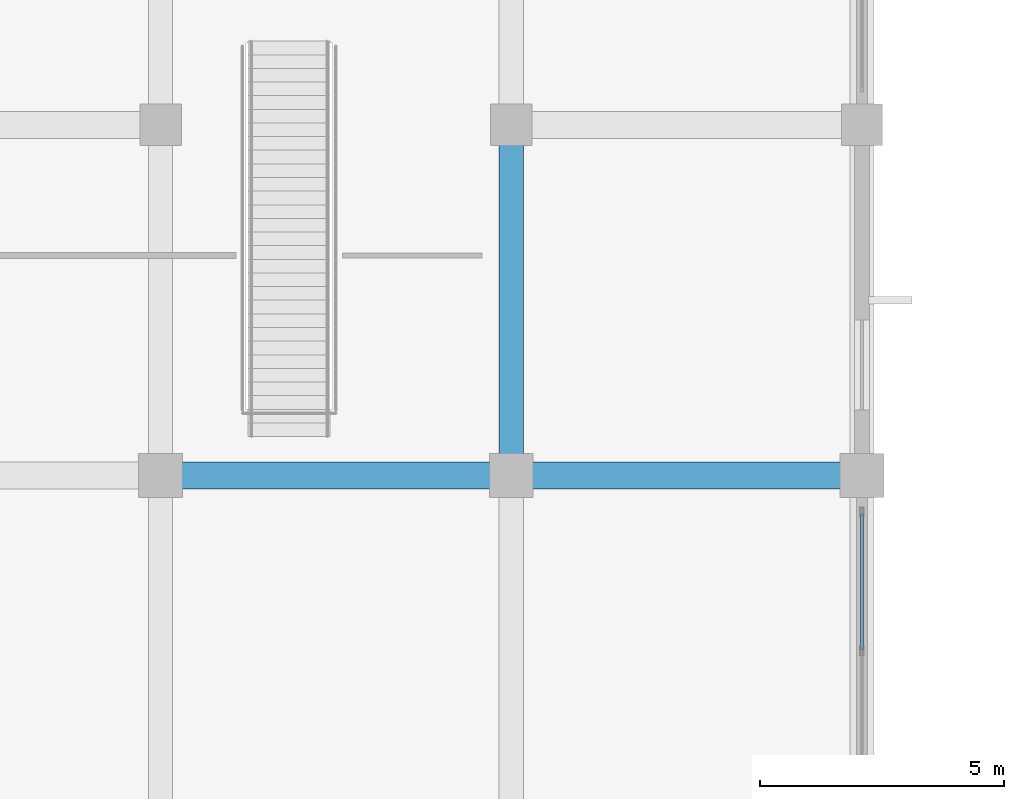
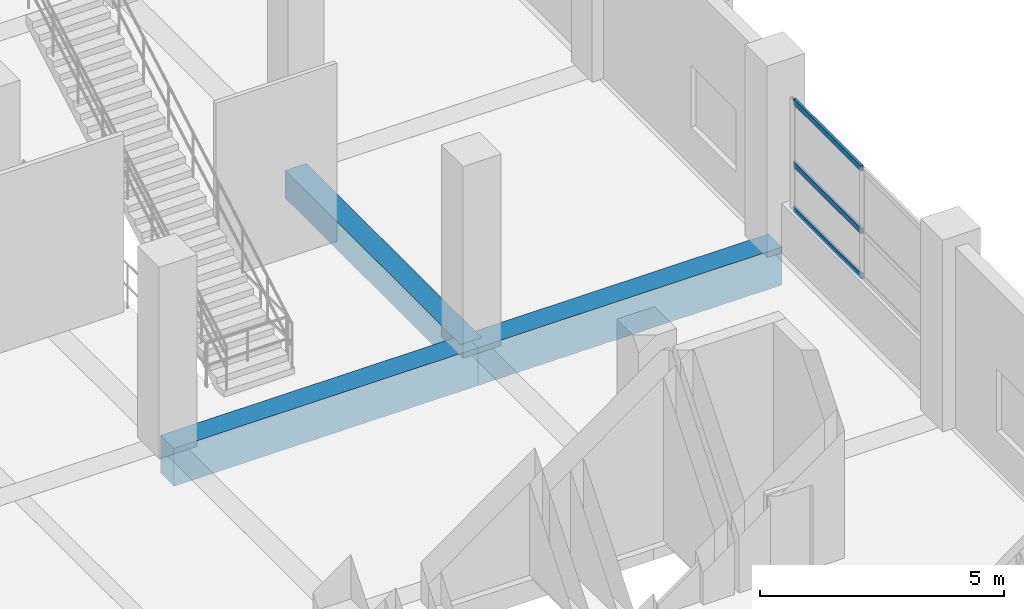
# One storey, part 57 of 181: 3 beams, 3 members, 1 element without a shape of its own.
"""IFC4 building model written with IfcOpenShell, lengths in metres."""

from ifc_helpers import new_model, si_unit, direction, frame, origin, origin_2d, place, context, subcontext, project, spatial, rectangle, hollow_rectangle, extrude, material, layer, layer_set, material_profile, profile_set, type_object, element, aggregate, save


model = new_model("IFC4")

# Units and contexts
model_context = context("Model", 3, precision=1e-05, world=origin(), true_north=direction((0.0, 1.0)))
body_context = subcontext(model_context, "Body", "Model", "MODEL_VIEW")
ifc_project = project(units=[si_unit("LENGTHUNIT", "METRE"), si_unit("AREAUNIT", "SQUARE_METRE"), si_unit("VOLUMEUNIT", "CUBIC_METRE"), si_unit("PLANEANGLEUNIT", "RADIAN"), si_unit("MASSUNIT", "GRAM", prefix="KILO")], contexts=[model_context])

# Site, building, storey
site_placement = place(None, origin())
site = spatial("IfcSite", under=ifc_project, at=site_placement, CompositionType="ELEMENT")
building_placement = place(site_placement, origin())
building = spatial("IfcBuilding", under=site, at=building_placement, Name="Seraya Terrace Polytechnic", CompositionType="ELEMENT")
storey_placement = place(building_placement, frame((0.0, 0.0, 4.800048828125)))
storey = spatial("IfcBuildingStorey", under=building, at=storey_placement, Name="L01", CompositionType="ELEMENT", Elevation=4.800048828125)

# Beams
ifc_material_1 = material(Name="Concrete C40/50", Category="concrete")
ifc_material_profile_1 = material_profile(ifc_material_1, rectangle(XDim=0.550048828125, YDim=0.949951171875, at=origin_2d()), Name="RC 550x950")
ifc_profile_set_1 = profile_set([ifc_material_profile_1], Name="Concrete C40/50")
beam_type_1 = type_object("IfcBeamType", Name="BM-03", PredefinedType="BEAM", material=ifc_profile_set_1)
for number, where, z_axis, x_axis, name in (
    (1, (93.60009765625, 50.39990234375, -0.47509765625), (1.0, 0.0, 0.0), (0.0, 1.0, 0.0), "Beam BM-03 L01 X (93.6..100.8, 50.4)"),
    (2, (100.800048828125, 50.39990234375, -0.47509765625), (1.0, 0.0, 0.0), (0.0, 1.0, 0.0), "Beam BM-03 L01 X (100.8..108.0, 50.4)"),
):
    element("IfcBeam", number, at=place(storey_placement, frame(where, z_axis=z_axis, x_axis=x_axis)), inside=storey, type_object=beam_type_1, Name=name, PredefinedType="BEAM", context=body_context, shape_type="SweptSolid", body=[
        extrude(rectangle(XDim=0.550048828125, YDim=0.949951171875, at=origin_2d()), origin(), (0.0, 0.0, 1.0), 7.199951171875),
    ])
ifc_material_profile_2 = material_profile(ifc_material_1, rectangle(XDim=0.5, YDim=0.699951171875, at=origin_2d()), Name="RC 500x700")
ifc_profile_set_2 = profile_set([ifc_material_profile_2], Name="Concrete C40/50")
beam_type_2 = type_object("IfcBeamType", Name="BM-07", PredefinedType="BEAM", material=ifc_profile_set_2)
beam_placement = place(storey_placement, frame((100.800048828125, 50.39990234375, -0.35009765625), z_axis=(0.0, 1.0, 0.0), x_axis=(-1.0, 0.0, 0.0)))
element("IfcBeam", 3, at=beam_placement, inside=storey, type_object=beam_type_2, Name="Beam BM-07 L01 Y (100.8, 50.4..57.6)", PredefinedType="BEAM", context=body_context, shape_type="SweptSolid", body=[
    extrude(rectangle(XDim=0.5, YDim=0.699951171875, at=origin_2d()), origin(), (0.0, 0.0, 1.0), 7.2001953125),
])

# Curtain wall, members
ifc_material_2 = material(Name="Anodised aluminium EN AW-6063 T6", Category="aluminium")
ifc_layer = layer(ifc_material_2, 0.179931640625, Name="CW-16")
ifc_layer_set = layer_set([ifc_layer], Name="Anodised aluminium EN AW-6063 T6")
curtain_wall_type = type_object("IfcCurtainWallType", Name="CW-16", PredefinedType="NOTDEFINED", material=ifc_layer_set)
curtain_wall_placement = place(storey_placement, origin())
curtain_wall = element("IfcCurtainWall", 4, at=curtain_wall_placement, inside=storey, type_object=curtain_wall_type, Name="Unitised curtain wall CW-16 (CW-L01-052)", PredefinedType="NOTDEFINED")
ifc_material_profile_3 = material_profile(ifc_material_2, hollow_rectangle(XDim=0.06005859375, YDim=0.139892578125, WallThickness=0.00341796875, at=origin_2d()), Name="RHS 140x60x3.5")
ifc_profile_set_3 = profile_set([ifc_material_profile_3], Name="Anodised aluminium EN AW-6063 T6")
member_type = type_object("IfcMemberType", Name="CWT-01", PredefinedType="USERDEFINED", material=ifc_profile_set_3)
member_1_placement = place(storey_placement, frame((108.0, 49.614990234375, 1.27001953125), z_axis=(0.0, -1.0, 0.0), x_axis=(1.0, 0.0, 0.0)))
member_1 = element("IfcMember", 5, at=member_1_placement, type_object=member_type, Name="CW-16 transom 1.1", ObjectType="TRANSOM", PredefinedType="USERDEFINED", context=body_context, shape_type="SweptSolid", body=[
    extrude(hollow_rectangle(XDim=0.06005859375, YDim=0.139892578125, WallThickness=0.00341796875, at=origin_2d()), origin(), (0.0, 0.0, 1.0), 2.782470703125),
])
member_2_placement = place(storey_placement, frame((108.0, 49.614990234375, 2.399169921875), z_axis=(0.0, -1.0, 0.0), x_axis=(1.0, 0.0, 0.0)))
member_2 = element("IfcMember", 6, at=member_2_placement, type_object=member_type, Name="CW-16 transom 1.2", ObjectType="TRANSOM", PredefinedType="USERDEFINED", context=body_context, shape_type="SweptSolid", body=[
    extrude(hollow_rectangle(XDim=0.06005859375, YDim=0.139892578125, WallThickness=0.00341796875, at=origin_2d()), origin(), (0.0, 0.0, 1.0), 2.782470703125),
])
member_3_placement = place(storey_placement, frame((108.0, 49.614990234375, 3.969970703125), z_axis=(0.0, -1.0, 0.0), x_axis=(1.0, 0.0, 0.0)))
member_3 = element("IfcMember", 7, at=member_3_placement, type_object=member_type, Name="CW-16 transom 1.3", ObjectType="TRANSOM", PredefinedType="USERDEFINED", context=body_context, shape_type="SweptSolid", body=[
    extrude(hollow_rectangle(XDim=0.06005859375, YDim=0.139892578125, WallThickness=0.00341796875, at=origin_2d()), origin(), (0.0, 0.0, 1.0), 2.782470703125),
])
aggregate(curtain_wall, [member_1, member_2, member_3])

save(model, "model.ifc")
